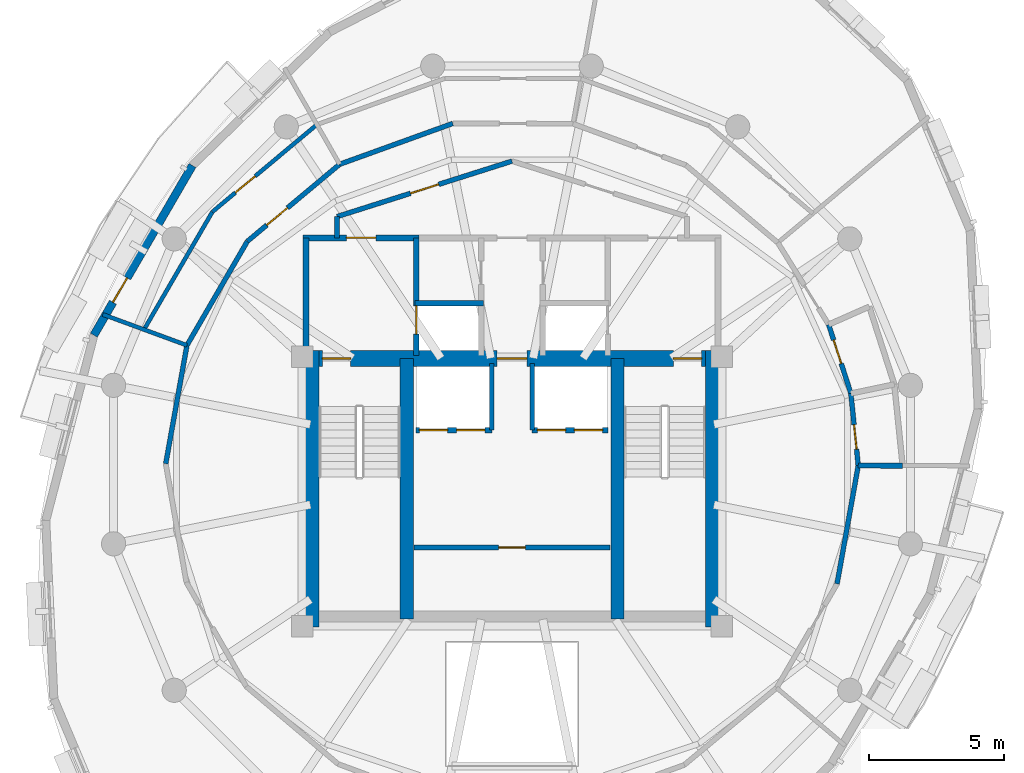
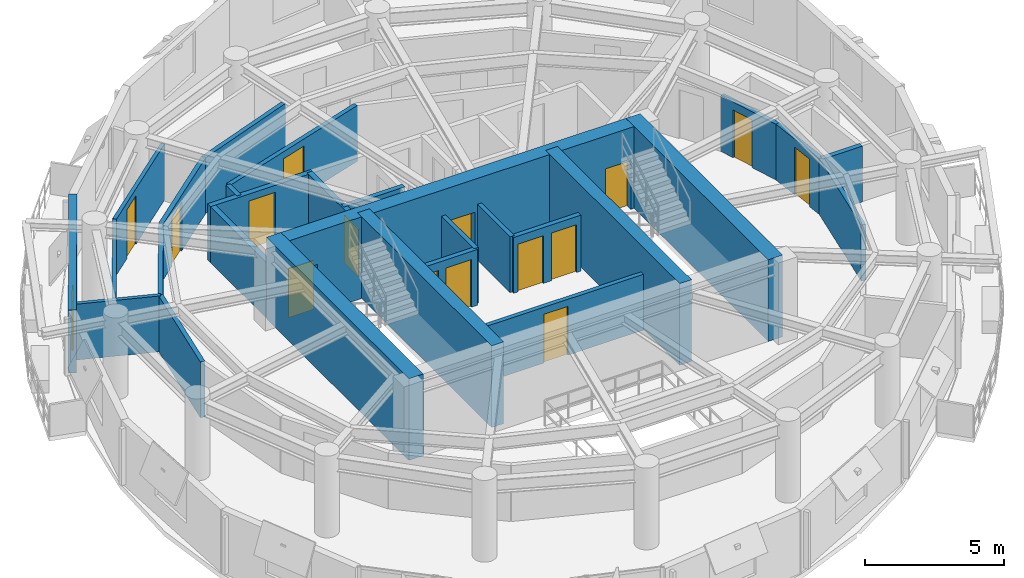
# One storey, part 7 of 11: 28 walls, 16 doors, 16 openings.
"""IFC4 building model written with IfcOpenShell, lengths in metres."""

from ifc_helpers import new_model, si_unit, direction, frame, frame_2d, origin, place, context, subcontext, project, spatial, rectangle, extrude, material, layer, layer_set, type_object, element, fill, save


model = new_model("IFC4")

# Units and contexts
model_context = context("Model", 3, precision=1e-05, world=origin(), true_north=direction((0.0, 1.0)))
body_context = subcontext(model_context, "Body", "Model", "MODEL_VIEW")
ifc_project = project(units=[si_unit("LENGTHUNIT", "METRE"), si_unit("AREAUNIT", "SQUARE_METRE"), si_unit("VOLUMEUNIT", "CUBIC_METRE"), si_unit("PLANEANGLEUNIT", "RADIAN"), si_unit("MASSUNIT", "GRAM", prefix="KILO"), si_unit("THERMODYNAMICTEMPERATUREUNIT", "KELVIN"), si_unit("POWERUNIT", "WATT")], contexts=[model_context])

# Site, building, storey
site_placement = place(None, origin())
site = spatial("IfcSite", under=ifc_project, at=site_placement, CompositionType="ELEMENT")
building_placement = place(site_placement, origin())
building = spatial("IfcBuilding", under=site, at=building_placement, Name="Ocrelia Relay Tower", CompositionType="ELEMENT")
storey_placement = place(building_placement, frame((0.0, 0.0, 277.199951171875)))
storey = spatial("IfcBuildingStorey", under=building, at=storey_placement, Name="L69", CompositionType="ELEMENT", Elevation=277.199951171875)

# Wall, openings, doors
ifc_material_1 = material(Name="Concrete C50/60", Category="concrete")
ifc_layer_1 = layer(ifc_material_1, 0.60009765625, Name="Concrete C50/60")
ifc_layer_set_1 = layer_set([ifc_layer_1], Name="Concrete C50/60")
wall_type_1 = type_object("IfcWallType", Name="CW-CORE-600B", PredefinedType="SHEAR", material=ifc_layer_set_1)
wall_1_placement = place(storey_placement, frame((26.221923828125, 29.93798828125, 0.0), z_axis=(0.0, 0.0, 1.0), x_axis=(1.0, 0.0, 0.0)))
wall_1 = element("IfcWall", 1, at=wall_1_placement, inside=storey, type_object=wall_type_1, Name="L69 Core Shear Wall N", PredefinedType="SHEAR", context=body_context, shape_type="SweptSolid", body=[
    extrude(rectangle(XDim=15.566162109375, YDim=0.60009765625, at=frame_2d((7.783203125, 0.0))), origin(), (0.0, 0.0, 1.0), 3.60009765625),
])
opening_1_placement = place(wall_1_placement, frame((0.72802734375, 0.0, 0.0)))
opening_1 = element("IfcOpeningElement", 2, at=opening_1_placement, cuts=wall_1, Name="Opening D-FD90", PredefinedType="OPENING", context=body_context, shape_type="SweptSolid", body=[
    extrude(rectangle(XDim=1.050048828125, YDim=2.14990234375, at=frame_2d((0.52490234375, 1.074951171875))), frame((0.0, 0.31005859375, 0.0), z_axis=(0.0, -1.0, 0.0), x_axis=(1.0, 0.0, 0.0)), (0.0, 0.0, 1.0), 0.6201171875),
])
opening_2_placement = place(wall_1_placement, frame((13.778076171875, 0.0, 0.0)))
opening_2 = element("IfcOpeningElement", 3, at=opening_2_placement, cuts=wall_1, Name="Opening D-FD90", PredefinedType="OPENING", context=body_context, shape_type="SweptSolid", body=[
    extrude(rectangle(XDim=1.050048828125, YDim=2.14990234375, at=frame_2d((0.52490234375, 1.074951171875))), frame((0.0, 0.31005859375, 0.0), z_axis=(0.0, -1.0, 0.0), x_axis=(1.0, 0.0, 0.0)), (0.0, 0.0, 1.0), 0.6201171875),
])
opening_3_placement = place(wall_1_placement, frame((7.22802734375, 0.0, 0.0)))
opening_3 = element("IfcOpeningElement", 4, at=opening_3_placement, cuts=wall_1, Name="Opening D-FD60", PredefinedType="OPENING", context=body_context, shape_type="SweptSolid", body=[
    extrude(rectangle(XDim=1.10009765625, YDim=2.14990234375, at=frame_2d((0.550048828125, 1.074951171875))), frame((0.0, 0.31005859375, 0.0), z_axis=(0.0, -1.0, 0.0), x_axis=(1.0, 0.0, 0.0)), (0.0, 0.0, 1.0), 0.6201171875),
])
ifc_material_2 = material(Name="Timber-core 60-min acoustic fire door", Category="wood")
door_type_1 = type_object("IfcDoorType", Name="DR-LOBBY-FD60-1100", OperationType="NOTDEFINED", PredefinedType="DOOR", material=ifc_material_2)
door_1_placement = place(opening_3_placement, origin())
door_1 = element("IfcDoor", 5, at=door_1_placement, inside=storey, type_object=door_type_1, Name="L69 Core Lift Lobby North Fire Door", OperationType="SINGLE_SWING_LEFT", OverallHeight=2.14990234375, OverallWidth=1.10009765625, PredefinedType="DOOR", context=body_context, shape_type="SweptSolid", body=[
    extrude(rectangle(XDim=1.10009765625, YDim=2.14990234375, at=frame_2d((0.550048828125, 1.074951171875))), frame((0.0, 0.02490234375, 0.0), z_axis=(0.0, -1.0, 0.0), x_axis=(1.0, 0.0, 0.0)), (0.0, 0.0, 1.0), 0.050048828125),
])
fill(opening_3, door_1)
ifc_material_3 = material(Name="Steel S355 90-min fire door", Category="steel")
door_type_2 = type_object("IfcDoorType", Name="DR-STAIR-FD90-1050", OperationType="NOTDEFINED", PredefinedType="DOOR", material=ifc_material_3)
door_2_placement = place(opening_1_placement, origin())
door_2 = element("IfcDoor", 6, at=door_2_placement, inside=storey, type_object=door_type_2, Name="L69 Stair ST1 Fire Door", OperationType="SINGLE_SWING_LEFT", OverallHeight=2.14990234375, OverallWidth=1.050048828125, PredefinedType="DOOR", context=body_context, shape_type="SweptSolid", body=[
    extrude(rectangle(XDim=1.050048828125, YDim=2.14990234375, at=frame_2d((0.52490234375, 1.074951171875))), frame((0.0, 0.02490234375, 0.0), z_axis=(0.0, -1.0, 0.0), x_axis=(1.0, 0.0, 0.0)), (0.0, 0.0, 1.0), 0.050048828125),
])
fill(opening_1, door_2)
door_3_placement = place(opening_2_placement, origin())
door_3 = element("IfcDoor", 7, at=door_3_placement, inside=storey, type_object=door_type_2, Name="L69 Stair ST2 Fire Door", OperationType="SINGLE_SWING_RIGHT", OverallHeight=2.14990234375, OverallWidth=1.050048828125, PredefinedType="DOOR", context=body_context, shape_type="SweptSolid", body=[
    extrude(rectangle(XDim=1.050048828125, YDim=2.14990234375, at=frame_2d((0.52490234375, 1.074951171875))), frame((0.0, 0.02490234375, 0.0), z_axis=(0.0, -1.0, 0.0), x_axis=(1.0, 0.0, 0.0)), (0.0, 0.0, 1.0), 0.050048828125),
])
fill(opening_2, door_3)

# Walls
for number, where, z_axis, x_axis, name in (
    (8, (26.52197265625, 19.9619140625, 0.0), (0.0, 0.0, 1.0), (0.0, 1.0, 0.0), "L69 Core Shear Wall W"),
    (9, (41.488037109375, 19.9619140625, 0.0), (0.0, 0.0, 1.0), (0.0, 1.0, 0.0), "L69 Core Shear Wall E"),
):
    element("IfcWall", number, at=place(storey_placement, frame(where, z_axis=z_axis, x_axis=x_axis)), inside=storey, type_object=wall_type_1, Name=name, PredefinedType="SHEAR", context=body_context, shape_type="SweptSolid", body=[
        extrude(rectangle(XDim=10.276123046875, YDim=0.60009765625, at=frame_2d((5.13818359375, 0.0))), origin(), (0.0, 0.0, 1.0), 3.60009765625),
    ])
for number, where, z_axis, x_axis, name in (
    (10, (30.087890625, 20.261962890625, 0.0), (0.0, 0.0, 1.0), (0.0, 1.0, 0.0), "L69 Core Shear Wall SPW"),
    (11, (37.922119140625, 20.261962890625, 0.0), (0.0, 0.0, 1.0), (0.0, 1.0, 0.0), "L69 Core Shear Wall SPE"),
):
    element("IfcWall", number, at=place(storey_placement, frame(where, z_axis=z_axis, x_axis=x_axis)), inside=storey, type_object=wall_type_1, Name=name, PredefinedType="SHEAR", context=body_context, shape_type="SweptSolid", body=[
        extrude(rectangle(XDim=9.676025390625, YDim=0.5, at=frame_2d((4.837890625, 0.0))), origin(), (0.0, 0.0, 1.0), 3.60009765625),
    ])

# Wall, opening, door
ifc_material_4 = material(Name="Gypsum Fireboard Partition EI60", Category="gypsum")
ifc_layer_2 = layer(ifc_material_4, 0.179931640625, Name="Gypsum Fireboard Partition EI60")
ifc_layer_set_2 = layer_set([ifc_layer_2], Name="Gypsum Fireboard Partition EI60")
wall_type_2 = type_object("IfcWallType", Name="W-CORR-EI60-180", PredefinedType="PARTITIONING", material=ifc_layer_set_2)
wall_2_placement = place(storey_placement, frame((30.35009765625, 22.919921875, 0.0), z_axis=(0.0, 0.0, 1.0), x_axis=(1.0, 0.0, 0.0)))
wall_2 = element("IfcWall", 12, at=wall_2_placement, inside=storey, type_object=wall_type_2, Name="L69 Reclaimed Core Room Partition", PredefinedType="PARTITIONING", context=body_context, shape_type="SweptSolid", body=[
    extrude(rectangle(XDim=7.2998046875, YDim=0.179931640625, at=frame_2d((3.64990234375, 0.0))), origin(), (0.0, 0.0, 1.0), 2.4599609375),
])
opening_4_placement = place(wall_2_placement, frame((3.14990234375, 0.0, 0.0)))
opening_4 = element("IfcOpeningElement", 13, at=opening_4_placement, cuts=wall_2, Name="Opening D-RM100", PredefinedType="OPENING", context=body_context, shape_type="SweptSolid", body=[
    extrude(rectangle(XDim=1.0, YDim=2.14990234375, at=frame_2d((0.5, 1.074951171875))), frame((0.0, 0.10009765625, 0.0), z_axis=(0.0, -1.0, 0.0), x_axis=(1.0, 0.0, 0.0)), (0.0, 0.0, 1.0), 0.199951171875),
])
ifc_material_5 = material(Name="Acoustic oak veneer fire door", Category="wood")
door_type_3 = type_object("IfcDoorType", Name="DR-ROOM-FD60-1000", OperationType="NOTDEFINED", PredefinedType="DOOR", material=ifc_material_5)
door_4_placement = place(opening_4_placement, origin())
door_4 = element("IfcDoor", 14, at=door_4_placement, inside=storey, type_object=door_type_3, Name="L69 Calibration Laboratory Door", OperationType="SINGLE_SWING_LEFT", OverallHeight=2.14990234375, OverallWidth=1.0, PredefinedType="DOOR", context=body_context, shape_type="SweptSolid", body=[
    extrude(rectangle(XDim=1.0, YDim=2.14990234375, at=frame_2d((0.5, 1.074951171875))), frame((0.0, 0.02490234375, 0.0), z_axis=(0.0, -1.0, 0.0), x_axis=(1.0, 0.0, 0.0)), (0.0, 0.0, 1.0), 0.050048828125),
])
fill(opening_4, door_4)

# Wall
wall_3_placement = place(storey_placement, frame((27.5, 34.429931640625, 0.0), z_axis=(0.0, 0.0, 1.0), x_axis=(0.0, 1.0, 0.0)))
element("IfcWall", 15, at=wall_3_placement, inside=storey, type_object=wall_type_2, Name="L69 Smoke Lobby West Return", PredefinedType="PARTITIONING", context=body_context, shape_type="SweptSolid", body=[
    extrude(rectangle(XDim=0.7890625, YDim=0.179931640625, at=frame_2d((0.39453125, 0.0))), origin(), (0.0, 0.0, 1.0), 2.4599609375),
])

# Wall, opening, door
wall_4_placement = place(storey_placement, frame((27.5, 35.218994140625, 0.0), z_axis=(0.0, 0.0, 1.0), x_axis=(0.953228121756, 0.302251795518, 0.0)))
wall_4 = element("IfcWall", 16, at=wall_4_placement, inside=storey, type_object=wall_type_2, Name="L69 North Smoke Lobby W Screen Wall", PredefinedType="PARTITIONING", context=body_context, shape_type="SweptSolid", body=[
    extrude(rectangle(XDim=6.81884765625, YDim=0.179931640625, at=frame_2d((3.409423828125, 0.0))), origin(), (0.0, 0.0, 1.0), 2.4599609375),
])
opening_5_placement = place(wall_4_placement, frame((2.859619140625, 0.0, 0.0)))
opening_5 = element("IfcOpeningElement", 17, at=opening_5_placement, cuts=wall_4, Name="Opening D-FD60", PredefinedType="OPENING", context=body_context, shape_type="SweptSolid", body=[
    extrude(rectangle(XDim=1.10009765625, YDim=2.14990234375, at=frame_2d((0.550048828125, 1.074951171875))), frame((0.0, 0.10009765625, 0.0), z_axis=(0.0, -1.0, 0.0), x_axis=(1.0, 0.0, 0.0)), (0.0, 0.0, 1.0), 0.199951171875),
])
door_5_placement = place(opening_5_placement, origin())
door_5 = element("IfcDoor", 18, at=door_5_placement, inside=storey, type_object=door_type_1, Name="L69 North Smoke Lobby W Fire Door", OperationType="SINGLE_SWING_RIGHT", OverallHeight=2.14990234375, OverallWidth=1.10009765625, PredefinedType="DOOR", context=body_context, shape_type="SweptSolid", body=[
    extrude(rectangle(XDim=1.10009765625, YDim=2.14990234375, at=frame_2d((0.550048828125, 1.074951171875))), frame((0.0, 0.02490234375, 0.0), z_axis=(0.0, -1.0, 0.0), x_axis=(1.0, 0.0, 0.0)), (0.0, 0.0, 1.0), 0.050048828125),
])
fill(opening_5, door_5)

wall_5_placement = place(storey_placement, frame((46.8701171875, 25.96630859375, 0.0), z_axis=(0.0, 0.0, 1.0), x_axis=(-0.101992026191, 0.994785216312, 0.0)))
wall_5 = element("IfcWall", 19, at=wall_5_placement, inside=storey, type_object=wall_type_2, Name="L69 Staff Toilet Corridor Wall", PredefinedType="PARTITIONING", context=body_context, shape_type="SweptSolid", body=[
    extrude(rectangle(XDim=2.6904296875, YDim=0.179931640625, at=frame_2d((1.34521484375, 0.0))), origin(), (0.0, 0.0, 1.0), 2.4599609375),
])
opening_6_placement = place(wall_5_placement, frame((0.603271484375, 0.0, 0.0)))
opening_6 = element("IfcOpeningElement", 20, at=opening_6_placement, cuts=wall_5, Name="Opening D-WC92", PredefinedType="OPENING", context=body_context, shape_type="SweptSolid", body=[
    extrude(rectangle(XDim=0.919921875, YDim=2.10009765625, at=frame_2d((0.4599609375, 1.050048828125))), frame((0.0, 0.10009765625, 0.0), z_axis=(0.0, -1.0, 0.0), x_axis=(1.0, 0.0, 0.0)), (0.0, 0.0, 1.0), 0.199951171875),
])
ifc_material_6 = material(Name="Laminate washroom door", Category="wood")
door_type_4 = type_object("IfcDoorType", Name="DR-WC-920", OperationType="NOTDEFINED", PredefinedType="DOOR", material=ifc_material_6)
door_6_placement = place(opening_6_placement, origin())
door_6 = element("IfcDoor", 21, at=door_6_placement, inside=storey, type_object=door_type_4, Name="L69 Staff Toilet Door", OperationType="SINGLE_SWING_RIGHT", OverallHeight=2.10009765625, OverallWidth=0.919921875, PredefinedType="DOOR", context=body_context, shape_type="SweptSolid", body=[
    extrude(rectangle(XDim=0.919921875, YDim=2.10009765625, at=frame_2d((0.4599609375, 1.050048828125))), frame((0.0, 0.02490234375, 0.0), z_axis=(0.0, -1.0, 0.0), x_axis=(1.0, 0.0, 0.0)), (0.0, 0.0, 1.0), 0.050048828125),
])
fill(opening_6, door_6)

wall_6_placement = place(storey_placement, frame((46.595703125, 28.642822265625, 0.0), z_axis=(0.0, 0.0, 1.0), x_axis=(-0.306520218398, 0.951864147719, 0.0)))
wall_6 = element("IfcWall", 22, at=wall_6_placement, inside=storey, type_object=wall_type_2, Name="L69 Accessible Toilet Corridor Wall", PredefinedType="PARTITIONING", context=body_context, shape_type="SweptSolid", body=[
    extrude(rectangle(XDim=2.6904296875, YDim=0.179931640625, at=frame_2d((1.34521484375, 0.0))), origin(), (0.0, 0.0, 1.0), 2.4599609375),
])
opening_7_placement = place(wall_6_placement, frame((1.16748046875, 0.0, 0.0)))
opening_7 = element("IfcOpeningElement", 23, at=opening_7_placement, cuts=wall_6, Name="Opening D-WC92", PredefinedType="OPENING", context=body_context, shape_type="SweptSolid", body=[
    extrude(rectangle(XDim=0.919921875, YDim=2.10009765625, at=frame_2d((0.4599609375, 1.050048828125))), frame((0.0, 0.10009765625, 0.0), z_axis=(0.0, -1.0, 0.0), x_axis=(1.0, 0.0, 0.0)), (0.0, 0.0, 1.0), 0.199951171875),
])
door_7_placement = place(opening_7_placement, origin())
door_7 = element("IfcDoor", 24, at=door_7_placement, inside=storey, type_object=door_type_4, Name="L69 Accessible Toilet Door", OperationType="SINGLE_SWING_LEFT", OverallHeight=2.10009765625, OverallWidth=0.919921875, PredefinedType="DOOR", context=body_context, shape_type="SweptSolid", body=[
    extrude(rectangle(XDim=0.919921875, YDim=2.10009765625, at=frame_2d((0.4599609375, 1.050048828125))), frame((0.0, 0.02490234375, 0.0), z_axis=(0.0, -1.0, 0.0), x_axis=(1.0, 0.0, 0.0)), (0.0, 0.0, 1.0), 0.050048828125),
])
fill(opening_7, door_7)

# Wall
wall_7_placement = place(storey_placement, frame((31.79833984375, 38.680419921875, 0.0), z_axis=(0.0, 0.0, 1.0), x_axis=(-0.940577162763, -0.339580036057, 0.0)))
element("IfcWall", 25, at=wall_7_placement, inside=storey, type_object=wall_type_2, Name="L69 Hospitality Banquet Room Corridor Partition 2", PredefinedType="PARTITIONING", context=body_context, shape_type="SweptSolid", body=[
    extrude(rectangle(XDim=4.4697265625, YDim=0.179931640625, at=frame_2d((2.23486328125, 0.0))), origin(), (0.0, 0.0, 1.0), 2.4599609375),
])

# Wall, opening, door
wall_8_placement = place(storey_placement, frame((27.59423828125, 37.16259765625, 0.0), z_axis=(0.0, 0.0, 1.0), x_axis=(-0.767746496496, -0.640753710187, 0.0)))
wall_8 = element("IfcWall", 26, at=wall_8_placement, inside=storey, type_object=wall_type_2, Name="L69 Sommelier Servery Kitchen Corridor Partition 1", PredefinedType="PARTITIONING", context=body_context, shape_type="SweptSolid", body=[
    extrude(rectangle(XDim=4.4697265625, YDim=0.179931640625, at=frame_2d((2.23486328125, 0.0))), origin(), (0.0, 0.0, 1.0), 2.4599609375),
])
opening_8_placement = place(wall_8_placement, frame((2.52734375, 0.0, 0.0)))
opening_8 = element("IfcOpeningElement", 27, at=opening_8_placement, cuts=wall_8, Name="Opening D-RM100", PredefinedType="OPENING", context=body_context, shape_type="SweptSolid", body=[
    extrude(rectangle(XDim=1.0, YDim=2.14990234375, at=frame_2d((0.5, 1.074951171875))), frame((0.0, 0.10009765625, 0.0), z_axis=(0.0, -1.0, 0.0), x_axis=(1.0, 0.0, 0.0)), (0.0, 0.0, 1.0), 0.199951171875),
])
door_8_placement = place(opening_8_placement, origin())
door_8 = element("IfcDoor", 28, at=door_8_placement, inside=storey, type_object=door_type_3, Name="L69 Sommelier Servery Kitchen Entrance Door", OperationType="SINGLE_SWING_LEFT", OverallHeight=2.14990234375, OverallWidth=1.0, PredefinedType="DOOR", context=body_context, shape_type="SweptSolid", body=[
    extrude(rectangle(XDim=1.0, YDim=2.14990234375, at=frame_2d((0.5, 1.074951171875))), frame((0.0, 0.02490234375, 0.0), z_axis=(0.0, -1.0, 0.0), x_axis=(1.0, 0.0, 0.0)), (0.0, 0.0, 1.0), 0.050048828125),
])
fill(opening_8, door_8)

# Walls
for number, where, z_axis, x_axis, name in (
    (29, (24.16259765625, 34.298583984375, 0.0), (0.0, 0.0, 1.0), (-0.502226433787, -0.864736150051, 0.0), "L69 Sommelier Servery Kitchen Corridor Partition 2"),
    (30, (21.917724609375, 30.433349609375, 0.0), (0.0, 0.0, 1.0), (-0.176265133865, -0.98434272618, 0.0), "L69 Diplomatic Protocol Foyer Corridor Partition 1"),
    (31, (46.082275390625, 21.566650390625, 0.0), (0.0, 0.0, 1.0), (0.176265133865, 0.98434272618, 0.0), "L69 Technician Tea Pantry Corridor Partition 2"),
):
    element("IfcWall", number, at=place(storey_placement, frame(where, z_axis=z_axis, x_axis=x_axis)), inside=storey, type_object=wall_type_2, Name=name, PredefinedType="PARTITIONING", context=body_context, shape_type="SweptSolid", body=[
        extrude(rectangle(XDim=4.4697265625, YDim=0.179931640625, at=frame_2d((2.23486328125, 0.0))), origin(), (0.0, 0.0, 1.0), 2.4599609375),
    ])

# Wall, opening, door
ifc_material_7 = material(Name="Precast concrete C40/50 with oxide terracotta", Category="masonry")
ifc_layer_3 = layer(ifc_material_7, 0.300048828125, Name="Precast concrete C40/50 with oxide terracotta")
ifc_layer_set_3 = layer_set([ifc_layer_3], Name="Precast concrete C40/50 with oxide terracotta")
wall_type_3 = type_object("IfcWallType", Name="W-EXT-TERR-300", PredefinedType="SOLIDWALL", material=ifc_layer_set_3)
wall_9_placement = place(storey_placement, frame((22.12109375, 37.116943359375, 0.0), z_axis=(0.0, 0.0, 1.0), x_axis=(-0.502255031748, -0.864719540131, 0.0)))
wall_9 = element("IfcWall", 32, at=wall_9_placement, inside=storey, type_object=wall_type_3, Name="L69 Oxide Terracotta Facade Wall 05", PredefinedType="SOLIDWALL", context=body_context, shape_type="SweptSolid", body=[
    extrude(rectangle(XDim=7.293212890625, YDim=0.300048828125, at=frame_2d((3.646484375, 0.0))), origin(), (0.0, 0.0, 1.0), 2.760009765625),
])
opening_9_placement = place(wall_9_placement, frame((4.830078125, 0.0, 0.0)))
opening_9 = element("IfcOpeningElement", 33, at=opening_9_placement, cuts=wall_9, Name="Opening DB-105", PredefinedType="OPENING", context=body_context, shape_type="SweptSolid", body=[
    extrude(rectangle(XDim=1.050048828125, YDim=2.14990234375, at=frame_2d((0.52490234375, 1.074951171875))), frame((0.0, 0.16015625, 0.0), z_axis=(0.0, -1.0, 0.0), x_axis=(1.0, 0.0, 0.0)), (0.0, 0.0, 1.0), 0.320068359375),
])
ifc_material_8 = material(Name="Thermally broken aluminium and clear glass", Category="aluminium")
door_type_5 = type_object("IfcDoorType", Name="DR-BALC-1050", OperationType="NOTDEFINED", PredefinedType="DOOR", material=ifc_material_8)
door_9_placement = place(opening_9_placement, origin())
door_9 = element("IfcDoor", 34, at=door_9_placement, inside=storey, type_object=door_type_5, Name="L69 Planted Loggia Balcony Door B1", OperationType="SINGLE_SWING_LEFT", OverallHeight=2.14990234375, OverallWidth=1.050048828125, PredefinedType="DOOR", context=body_context, shape_type="SweptSolid", body=[
    extrude(rectangle(XDim=1.050048828125, YDim=2.14990234375, at=frame_2d((0.52490234375, 1.074951171875))), frame((0.0, 0.02490234375, 0.0), z_axis=(0.0, -1.0, 0.0), x_axis=(1.0, 0.0, 0.0)), (0.0, 0.0, 1.0), 0.050048828125),
])
fill(opening_9, door_9)

# Wall
ifc_layer_4 = layer(ifc_material_1, 0.219970703125, Name="Concrete C50/60")
ifc_layer_set_4 = layer_set([ifc_layer_4], Name="Concrete C50/60")
wall_type_4 = type_object("IfcWallType", Name="W-FFL-EI120-220", PredefinedType="SOLIDWALL", material=ifc_layer_set_4)
wall_10_placement = place(storey_placement, frame((26.35009765625, 30.050048828125, 0.0), z_axis=(0.0, 0.0, 1.0), x_axis=(0.0, 1.0, 0.0)))
element("IfcWall", 35, at=wall_10_placement, inside=storey, type_object=wall_type_4, Name="L69 W Fire Service Lift Lobby West Wall", PredefinedType="SOLIDWALL", context=body_context, shape_type="SweptSolid", body=[
    extrude(rectangle(XDim=4.3798828125, YDim=0.219970703125, at=frame_2d((2.18994140625, 0.0))), origin(), (0.0, 0.0, 1.0), 2.4599609375),
])

# Wall, opening, door
wall_11_placement = place(storey_placement, frame((30.43994140625, 30.050048828125, 0.0), z_axis=(0.0, 0.0, 1.0), x_axis=(0.0, 1.0, 0.0)))
wall_11 = element("IfcWall", 36, at=wall_11_placement, inside=storey, type_object=wall_type_4, Name="L69 W Fire Service Lift Lobby East Wall", PredefinedType="SOLIDWALL", context=body_context, shape_type="SweptSolid", body=[
    extrude(rectangle(XDim=4.3798828125, YDim=0.219970703125, at=frame_2d((2.18994140625, 0.0))), origin(), (0.0, 0.0, 1.0), 2.4599609375),
])
opening_10_placement = place(wall_11_placement, frame((0.800048828125, 0.0, 0.0)))
opening_10 = element("IfcOpeningElement", 37, at=opening_10_placement, cuts=wall_11, Name="Opening LD-FFL1", PredefinedType="OPENING", context=body_context, shape_type="SweptSolid", body=[
    extrude(rectangle(XDim=1.050048828125, YDim=2.10009765625, at=frame_2d((0.52490234375, 1.050048828125))), frame((0.0, 0.1201171875, 0.0), z_axis=(0.0, -1.0, 0.0), x_axis=(1.0, 0.0, 0.0)), (0.0, 0.0, 1.0), 0.239990234375),
])
ifc_material_9 = material(Name="Brushed stainless steel S355 lift landing door", Category="steel")
door_type_6 = type_object("IfcDoorType", Name="DR-LIFT-LAND-1050", OperationType="DOUBLE_DOOR_SLIDING", PredefinedType="USERDEFINED", material=ifc_material_9)
door_10_placement = place(opening_10_placement, origin())
door_10 = element("IfcDoor", 38, at=door_10_placement, inside=storey, type_object=door_type_6, Name="L69 Firefighting Lift FFL1 Sliding Landing Door", ObjectType="LANDING DOOR", OperationType="DOUBLE_DOOR_SLIDING", OverallHeight=2.10009765625, OverallWidth=1.050048828125, PredefinedType="USERDEFINED", context=body_context, shape_type="SweptSolid", body=[
    extrude(rectangle(XDim=1.050048828125, YDim=2.10009765625, at=frame_2d((0.52490234375, 1.050048828125))), frame((0.0, 0.02490234375, 0.0), z_axis=(0.0, -1.0, 0.0), x_axis=(1.0, 0.0, 0.0)), (0.0, 0.0, 1.0), 0.050048828125),
])
fill(opening_10, door_10)

wall_12_placement = place(storey_placement, frame((26.239990234375, 34.429931640625, 0.0), z_axis=(0.0, 0.0, 1.0), x_axis=(1.0, 0.0, 0.0)))
wall_12 = element("IfcWall", 39, at=wall_12_placement, inside=storey, type_object=wall_type_4, Name="L69 W Fire Service Lift Lobby North Wall", PredefinedType="SOLIDWALL", context=body_context, shape_type="SweptSolid", body=[
    extrude(rectangle(XDim=4.31005859375, YDim=0.219970703125, at=frame_2d((2.155029296875, 0.0))), origin(), (0.0, 0.0, 1.0), 2.4599609375),
])
opening_11_placement = place(wall_12_placement, frame((1.60009765625, 0.0, 0.0)))
opening_11 = element("IfcOpeningElement", 40, at=opening_11_placement, cuts=wall_12, Name="Opening D-FD60", PredefinedType="OPENING", context=body_context, shape_type="SweptSolid", body=[
    extrude(rectangle(XDim=1.10009765625, YDim=2.14990234375, at=frame_2d((0.550048828125, 1.074951171875))), frame((0.0, 0.1201171875, 0.0), z_axis=(0.0, -1.0, 0.0), x_axis=(1.0, 0.0, 0.0)), (0.0, 0.0, 1.0), 0.239990234375),
])
door_11_placement = place(opening_11_placement, origin())
door_11 = element("IfcDoor", 41, at=door_11_placement, inside=storey, type_object=door_type_1, Name="L69 W Fire Service Lift Lobby Exit Door", OperationType="SINGLE_SWING_RIGHT", OverallHeight=2.14990234375, OverallWidth=1.10009765625, PredefinedType="DOOR", context=body_context, shape_type="SweptSolid", body=[
    extrude(rectangle(XDim=1.10009765625, YDim=2.14990234375, at=frame_2d((0.550048828125, 1.074951171875))), frame((0.0, 0.02490234375, 0.0), z_axis=(0.0, -1.0, 0.0), x_axis=(1.0, 0.0, 0.0)), (0.0, 0.0, 1.0), 0.050048828125),
])
fill(opening_11, door_11)

# Wall
ifc_material_10 = material(Name="Acoustic Fireboard Partition EI60", Category="gypsum")
ifc_layer_5 = layer(ifc_material_10, 0.14990234375, Name="Acoustic Fireboard Partition EI60")
ifc_layer_set_5 = layer_set([ifc_layer_5], Name="Acoustic Fireboard Partition EI60")
wall_type_5 = type_object("IfcWallType", Name="W-PART-150", PredefinedType="PARTITIONING", material=ifc_layer_set_5)
wall_13_placement = place(storey_placement, frame((21.917724609375, 30.433349609375, 0.0), z_axis=(0.0, 0.0, 1.0), x_axis=(-0.938796538143, 0.344472146871, 0.0)))
element("IfcWall", 42, at=wall_13_placement, inside=storey, type_object=wall_type_5, Name="L69 Sommelier Servery Kitchen Radial Partition", PredefinedType="PARTITIONING", context=body_context, shape_type="SweptSolid", body=[
    extrude(rectangle(XDim=3.3310546875, YDim=0.14990234375, at=frame_2d((1.66552734375, 0.0))), origin(), (0.0, 0.0, 1.0), 2.4599609375),
])

# Wall, opening, door
wall_14_placement = place(storey_placement, frame((26.748046875, 38.636962890625, 0.0), z_axis=(0.0, 0.0, 1.0), x_axis=(-0.767722747494, -0.640782164999, 0.0)))
wall_14 = element("IfcWall", 43, at=wall_14_placement, inside=storey, type_object=wall_type_5, Name="L69 Perimeter Sommelier Servery Kitchen Mid-Ring Partition 1", PredefinedType="PARTITIONING", context=body_context, shape_type="SweptSolid", body=[
    extrude(rectangle(XDim=5.06005859375, YDim=0.14990234375, at=frame_2d((2.530029296875, 0.0))), origin(), (0.0, 0.0, 1.0), 2.4599609375),
])
opening_12_placement = place(wall_14_placement, frame((2.99267578125, 0.0, 0.0)))
opening_12 = element("IfcOpeningElement", 44, at=opening_12_placement, cuts=wall_14, Name="Opening D-RM95", PredefinedType="OPENING", context=body_context, shape_type="SweptSolid", body=[
    extrude(rectangle(XDim=0.949951171875, YDim=2.14990234375, at=frame_2d((0.47509765625, 1.074951171875))), frame((0.0, 0.0849609375, 0.0), z_axis=(0.0, -1.0, 0.0), x_axis=(1.0, 0.0, 0.0)), (0.0, 0.0, 1.0), 0.169921875),
])
door_type_7 = type_object("IfcDoorType", Name="DR-ROOM-950", OperationType="NOTDEFINED", PredefinedType="DOOR", material=ifc_material_5)
door_12_placement = place(opening_12_placement, origin())
door_12 = element("IfcDoor", 45, at=door_12_placement, inside=storey, type_object=door_type_7, Name="L69 Perimeter Sommelier Servery Kitchen Connecting Door", OperationType="SINGLE_SWING_RIGHT", OverallHeight=2.14990234375, OverallWidth=0.949951171875, PredefinedType="DOOR", context=body_context, shape_type="SweptSolid", body=[
    extrude(rectangle(XDim=0.949951171875, YDim=2.14990234375, at=frame_2d((0.47509765625, 1.074951171875))), frame((0.0, 0.02490234375, 0.0), z_axis=(0.0, -1.0, 0.0), x_axis=(1.0, 0.0, 0.0)), (0.0, 0.0, 1.0), 0.050048828125),
])
fill(opening_12, door_12)

# Walls
wall_15_placement = place(storey_placement, frame((22.86328125, 35.39453125, 0.0), z_axis=(0.0, 0.0, 1.0), x_axis=(-0.502268204586, -0.864711888817, 0.0)))
element("IfcWall", 46, at=wall_15_placement, inside=storey, type_object=wall_type_5, Name="L69 Perimeter Sommelier Servery Kitchen Mid-Ring Partition 2", PredefinedType="PARTITIONING", context=body_context, shape_type="SweptSolid", body=[
    extrude(rectangle(XDim=5.06005859375, YDim=0.14990234375, at=frame_2d((2.530029296875, 0.0))), origin(), (0.0, 0.0, 1.0), 2.4599609375),
])
ifc_material_11 = material(Name="Moisture-Resistant Fireboard Chase Wall EI60", Category="gypsum")
ifc_layer_6 = layer(ifc_material_11, 0.199951171875, Name="Moisture-Resistant Fireboard Chase Wall EI60")
ifc_layer_set_6 = layer_set([ifc_layer_6], Name="Moisture-Resistant Fireboard Chase Wall EI60")
wall_type_6 = type_object("IfcWallType", Name="W-PLUMB-200", PredefinedType="PLUMBINGWALL", material=ifc_layer_set_6)
wall_16_placement = place(storey_placement, frame((46.8701171875, 25.96630859375, 0.0), z_axis=(0.0, 0.0, 1.0), x_axis=(0.999996452876, -0.002663500466, 0.0)))
element("IfcWall", 47, at=wall_16_placement, inside=storey, type_object=wall_type_6, Name="L69 Staff Toilet Plumbing Radial Wall", PredefinedType="PLUMBINGWALL", context=body_context, shape_type="SweptSolid", body=[
    extrude(rectangle(XDim=1.64990234375, YDim=0.199951171875, at=frame_2d((0.824951171875, 0.0))), origin(), (0.0, 0.0, 1.0), 2.4599609375),
])
ifc_layer_7 = layer(ifc_material_1, 0.199951171875, Name="Concrete C50/60")
ifc_layer_set_7 = layer_set([ifc_layer_7], Name="Concrete C50/60")
wall_type_7 = type_object("IfcWallType", Name="W-SHAFT-EI120-200", PredefinedType="SOLIDWALL", material=ifc_layer_set_7)
wall_17_placement = place(storey_placement, frame((30.39990234375, 32.0, 0.0), z_axis=(0.0, 0.0, 1.0), x_axis=(1.0, 0.0, 0.0)))
element("IfcWall", 48, at=wall_17_placement, inside=storey, type_object=wall_type_7, Name="L69 FFL1 Hoistway North Wall", PredefinedType="SOLIDWALL", context=body_context, shape_type="SweptSolid", body=[
    extrude(rectangle(XDim=2.550048828125, YDim=0.199951171875, at=frame_2d((1.27490234375, 0.0))), origin(), (0.0, 0.0, 1.0), 2.4599609375),
])

# Wall, openings, doors
wall_18_placement = place(storey_placement, frame((30.43994140625, 27.280029296875, 0.0), z_axis=(0.0, 0.0, 1.0), x_axis=(1.0, 0.0, 0.0)))
wall_18 = element("IfcWall", 49, at=wall_18_placement, inside=storey, type_object=wall_type_7, Name="L69 High-Rise Lift Hoistway Wall W", PredefinedType="SOLIDWALL", context=body_context, shape_type="SweptSolid", body=[
    extrude(rectangle(XDim=2.81005859375, YDim=0.199951171875, at=frame_2d((1.405029296875, 0.0))), origin(), (0.0, 0.0, 1.0), 2.4599609375),
])
opening_13_placement = place(wall_18_placement, frame((0.1201171875, 0.0, 0.0)))
opening_13 = element("IfcOpeningElement", 50, at=opening_13_placement, cuts=wall_18, Name="Opening LD-PL5", PredefinedType="OPENING", context=body_context, shape_type="SweptSolid", body=[
    extrude(rectangle(XDim=1.050048828125, YDim=2.10009765625, at=frame_2d((0.52490234375, 1.050048828125))), frame((0.0, 0.10986328125, 0.0), z_axis=(0.0, -1.0, 0.0), x_axis=(1.0, 0.0, 0.0)), (0.0, 0.0, 1.0), 0.219970703125),
])
opening_14_placement = place(wall_18_placement, frame((1.5, 0.0, 0.0)))
opening_14 = element("IfcOpeningElement", 51, at=opening_14_placement, cuts=wall_18, Name="Opening LD-PL6", PredefinedType="OPENING", context=body_context, shape_type="SweptSolid", body=[
    extrude(rectangle(XDim=1.050048828125, YDim=2.10009765625, at=frame_2d((0.52490234375, 1.050048828125))), frame((0.0, 0.10986328125, 0.0), z_axis=(0.0, -1.0, 0.0), x_axis=(1.0, 0.0, 0.0)), (0.0, 0.0, 1.0), 0.219970703125),
])
door_13_placement = place(opening_13_placement, origin())
door_13 = element("IfcDoor", 52, at=door_13_placement, inside=storey, type_object=door_type_6, Name="L69 High-Rise Lift PL5 Sliding Landing Door", ObjectType="LANDING DOOR", OperationType="DOUBLE_DOOR_SLIDING", OverallHeight=2.10009765625, OverallWidth=1.050048828125, PredefinedType="USERDEFINED", context=body_context, shape_type="SweptSolid", body=[
    extrude(rectangle(XDim=1.050048828125, YDim=2.10009765625, at=frame_2d((0.52490234375, 1.050048828125))), frame((0.0, 0.02490234375, 0.0), z_axis=(0.0, -1.0, 0.0), x_axis=(1.0, 0.0, 0.0)), (0.0, 0.0, 1.0), 0.050048828125),
])
fill(opening_13, door_13)
door_14_placement = place(opening_14_placement, origin())
door_14 = element("IfcDoor", 53, at=door_14_placement, inside=storey, type_object=door_type_6, Name="L69 High-Rise Lift PL6 Sliding Landing Door", ObjectType="LANDING DOOR", OperationType="DOUBLE_DOOR_SLIDING", OverallHeight=2.10009765625, OverallWidth=1.050048828125, PredefinedType="USERDEFINED", context=body_context, shape_type="SweptSolid", body=[
    extrude(rectangle(XDim=1.050048828125, YDim=2.10009765625, at=frame_2d((0.52490234375, 1.050048828125))), frame((0.0, 0.02490234375, 0.0), z_axis=(0.0, -1.0, 0.0), x_axis=(1.0, 0.0, 0.0)), (0.0, 0.0, 1.0), 0.050048828125),
])
fill(opening_14, door_14)

# Wall
wall_19_placement = place(storey_placement, frame((33.25, 27.280029296875, 0.0), z_axis=(0.0, 0.0, 1.0), x_axis=(0.0, 1.0, 0.0)))
element("IfcWall", 54, at=wall_19_placement, inside=storey, type_object=wall_type_7, Name="L69 High-Rise Lift Throat Wall W", PredefinedType="SOLIDWALL", context=body_context, shape_type="SweptSolid", body=[
    extrude(rectangle(XDim=2.469970703125, YDim=0.179931640625, at=frame_2d((1.23486328125, 0.0))), origin(), (0.0, 0.0, 1.0), 2.4599609375),
])

# Wall, openings, doors
wall_20_placement = place(storey_placement, frame((34.75, 27.280029296875, 0.0), z_axis=(0.0, 0.0, 1.0), x_axis=(1.0, 0.0, 0.0)))
wall_20 = element("IfcWall", 55, at=wall_20_placement, inside=storey, type_object=wall_type_7, Name="L69 High-Rise Lift Hoistway Wall E", PredefinedType="SOLIDWALL", context=body_context, shape_type="SweptSolid", body=[
    extrude(rectangle(XDim=2.81005859375, YDim=0.199951171875, at=frame_2d((1.405029296875, 0.0))), origin(), (0.0, 0.0, 1.0), 2.4599609375),
])
opening_15_placement = place(wall_20_placement, frame((0.18994140625, 0.0, 0.0)))
opening_15 = element("IfcOpeningElement", 56, at=opening_15_placement, cuts=wall_20, Name="Opening LD-PL7", PredefinedType="OPENING", context=body_context, shape_type="SweptSolid", body=[
    extrude(rectangle(XDim=1.050048828125, YDim=2.10009765625, at=frame_2d((0.52490234375, 1.050048828125))), frame((0.0, 0.10986328125, 0.0), z_axis=(0.0, -1.0, 0.0), x_axis=(1.0, 0.0, 0.0)), (0.0, 0.0, 1.0), 0.219970703125),
])
opening_16_placement = place(wall_20_placement, frame((1.570068359375, 0.0, 0.0)))
opening_16 = element("IfcOpeningElement", 57, at=opening_16_placement, cuts=wall_20, Name="Opening LD-PL8", PredefinedType="OPENING", context=body_context, shape_type="SweptSolid", body=[
    extrude(rectangle(XDim=1.050048828125, YDim=2.10009765625, at=frame_2d((0.52490234375, 1.050048828125))), frame((0.0, 0.10986328125, 0.0), z_axis=(0.0, -1.0, 0.0), x_axis=(1.0, 0.0, 0.0)), (0.0, 0.0, 1.0), 0.219970703125),
])
door_15_placement = place(opening_15_placement, origin())
door_15 = element("IfcDoor", 58, at=door_15_placement, inside=storey, type_object=door_type_6, Name="L69 High-Rise Lift PL7 Sliding Landing Door", ObjectType="LANDING DOOR", OperationType="DOUBLE_DOOR_SLIDING", OverallHeight=2.10009765625, OverallWidth=1.050048828125, PredefinedType="USERDEFINED", context=body_context, shape_type="SweptSolid", body=[
    extrude(rectangle(XDim=1.050048828125, YDim=2.10009765625, at=frame_2d((0.52490234375, 1.050048828125))), frame((0.0, 0.02490234375, 0.0), z_axis=(0.0, -1.0, 0.0), x_axis=(1.0, 0.0, 0.0)), (0.0, 0.0, 1.0), 0.050048828125),
])
fill(opening_15, door_15)
door_16_placement = place(opening_16_placement, origin())
door_16 = element("IfcDoor", 59, at=door_16_placement, inside=storey, type_object=door_type_6, Name="L69 High-Rise Lift PL8 Sliding Landing Door", ObjectType="LANDING DOOR", OperationType="DOUBLE_DOOR_SLIDING", OverallHeight=2.10009765625, OverallWidth=1.050048828125, PredefinedType="USERDEFINED", context=body_context, shape_type="SweptSolid", body=[
    extrude(rectangle(XDim=1.050048828125, YDim=2.10009765625, at=frame_2d((0.52490234375, 1.050048828125))), frame((0.0, 0.02490234375, 0.0), z_axis=(0.0, -1.0, 0.0), x_axis=(1.0, 0.0, 0.0)), (0.0, 0.0, 1.0), 0.050048828125),
])
fill(opening_16, door_16)

# Wall
wall_21_placement = place(storey_placement, frame((34.75, 27.280029296875, 0.0), z_axis=(0.0, 0.0, 1.0), x_axis=(0.0, 1.0, 0.0)))
element("IfcWall", 60, at=wall_21_placement, inside=storey, type_object=wall_type_7, Name="L69 High-Rise Lift Throat Wall E", PredefinedType="SOLIDWALL", context=body_context, shape_type="SweptSolid", body=[
    extrude(rectangle(XDim=2.469970703125, YDim=0.179931640625, at=frame_2d((1.23486328125, 0.0))), origin(), (0.0, 0.0, 1.0), 2.4599609375),
])

save(model, "model.ifc")
